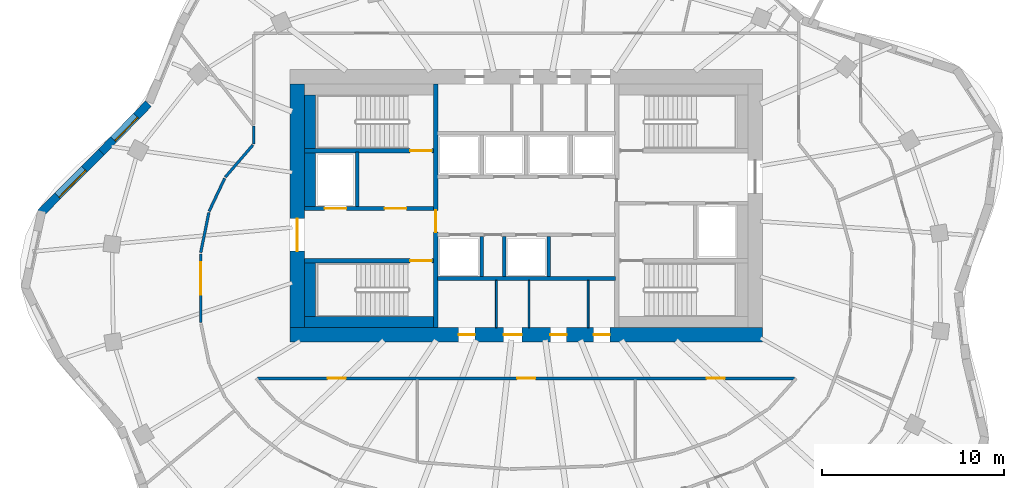
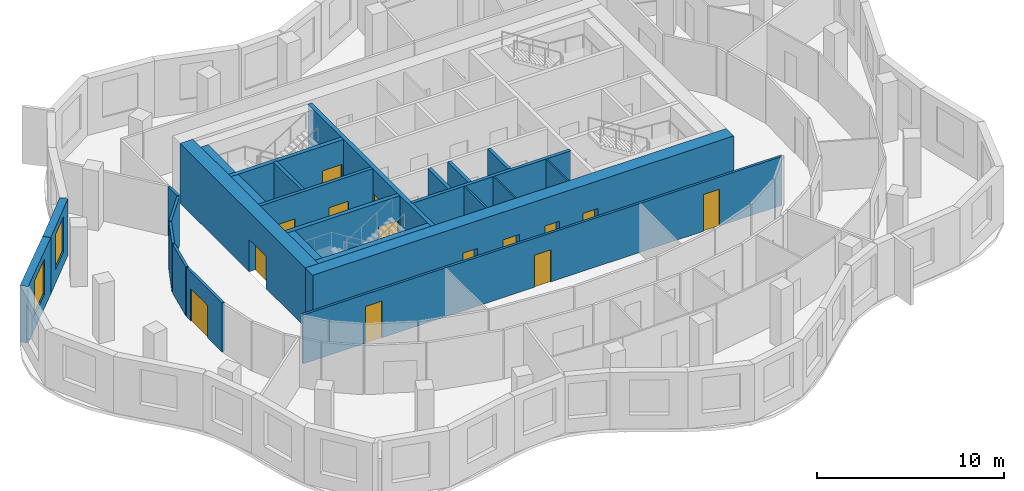
# One storey, part 4 of 9: 26 walls, 14 doors, 2 windows, 16 openings.
"""IFC4 building model written with IfcOpenShell, lengths in metres."""

from ifc_helpers import new_model, si_unit, direction, frame, frame_2d, origin, place, context, subcontext, project, spatial, rectangle, extrude, material, layer, layer_set, type_object, element, fill, save


model = new_model("IFC4")

# Units and contexts
model_context = context("Model", 3, precision=1e-05, world=origin(), true_north=direction((0.0, 1.0)))
body_context = subcontext(model_context, "Body", "Model", "MODEL_VIEW")
ifc_project = project(units=[si_unit("LENGTHUNIT", "METRE"), si_unit("AREAUNIT", "SQUARE_METRE"), si_unit("VOLUMEUNIT", "CUBIC_METRE"), si_unit("PLANEANGLEUNIT", "RADIAN"), si_unit("MASSUNIT", "GRAM", prefix="KILO")], contexts=[model_context])

# Site, building, storey
site_placement = place(None, origin())
site = spatial("IfcSite", under=ifc_project, at=site_placement, CompositionType="ELEMENT")
building_placement = place(site_placement, origin())
building = spatial("IfcBuilding", under=site, at=building_placement, Name="Rubra Terraces Tower", CompositionType="ELEMENT")
storey_placement = place(building_placement, frame((0.0, 0.0, 288.300048828125)))
storey = spatial("IfcBuildingStorey", under=building, at=storey_placement, Name="L71", CompositionType="ELEMENT", Elevation=288.300048828125)

# Wall, opening, window
ifc_material_1 = material(Name="Brick masonry red-brown", Category="masonry")
ifc_layer_1 = layer(ifc_material_1, 0.449951171875)
ifc_layer_set_1 = layer_set([ifc_layer_1], Name="Brick masonry red-brown")
wall_type_1 = type_object("IfcWallType", Name="Brick facade wall 450", PredefinedType="SOLIDWALL", material=ifc_layer_set_1)
wall_1_placement = place(storey_placement, frame((-20.795654296875, 10.1240234375, 0.0), z_axis=(0.0, 0.0, 1.0), x_axis=(-0.697121527554, -0.716952980203, 0.0)))
wall_1 = element("IfcWall", 1, at=wall_1_placement, inside=storey, type_object=wall_type_1, Name="Facade wall L71 bay 18", PredefinedType="SOLIDWALL", context=body_context, shape_type="SweptSolid", body=[
    extrude(rectangle(XDim=3.7177734375, YDim=0.449951171875, at=frame_2d((1.85888671875, 0.0))), origin(), (0.0, 0.0, 1.0), 3.699951171875),
])
opening_1_placement = place(wall_1_placement, frame((0.958984375, 0.0, 0.89990234375)))
opening_1 = element("IfcOpeningElement", 2, at=opening_1_placement, cuts=wall_1, Name="Opening W6B", PredefinedType="OPENING", context=body_context, shape_type="SweptSolid", body=[
    extrude(rectangle(XDim=1.800048828125, YDim=2.300048828125, at=frame_2d((0.89990234375, 1.14990234375))), frame((0.0, 0.23486328125, 0.0), z_axis=(0.0, -1.0, 0.0), x_axis=(1.0, 0.0, 0.0)), (0.0, 0.0, 1.0), 0.469970703125),
])
ifc_material_2 = material(Name="Clear glass in aluminium frame", Category="aluminium")
window_type_1 = type_object("IfcWindowType", Name="Fixed deep-set window at wind fin tall storey 1800 x 2300", PartitioningType="SINGLE_PANEL", PredefinedType="WINDOW", material=ifc_material_2)
window_1_placement = place(opening_1_placement, origin())
window_1 = element("IfcWindow", 3, at=window_1_placement, inside=storey, type_object=window_type_1, Name="Window L71 bay 18", OverallHeight=2.300048828125, OverallWidth=1.800048828125, PartitioningType="SINGLE_PANEL", PredefinedType="WINDOW", context=body_context, shape_type="SweptSolid", body=[
    extrude(rectangle(XDim=1.800048828125, YDim=2.300048828125, at=frame_2d((0.89990234375, 1.14990234375))), frame((0.0, 0.135009765625, 0.0), z_axis=(0.0, -1.0, 0.0), x_axis=(1.0, 0.0, 0.0)), (0.0, 0.0, 1.0), 0.06005859375),
])
fill(opening_1, window_1)

wall_2_placement = place(storey_placement, frame((-23.389892578125, 7.45556640625, 0.0), z_axis=(0.0, 0.0, 1.0), x_axis=(-0.705349231702, -0.708859973011, 0.0)))
wall_2 = element("IfcWall", 4, at=wall_2_placement, inside=storey, type_object=wall_type_1, Name="Facade wall L71 bay 19", PredefinedType="SOLIDWALL", context=body_context, shape_type="SweptSolid", body=[
    extrude(rectangle(XDim=4.728759765625, YDim=0.449951171875, at=frame_2d((2.3642578125, 0.0))), origin(), (0.0, 0.0, 1.0), 3.699951171875),
])
opening_2_placement = place(wall_2_placement, frame((1.314453125, 0.0, 0.89990234375)))
opening_2 = element("IfcOpeningElement", 5, at=opening_2_placement, cuts=wall_2, Name="Opening W1B", PredefinedType="OPENING", context=body_context, shape_type="SweptSolid", body=[
    extrude(rectangle(XDim=2.10009765625, YDim=2.300048828125, at=frame_2d((1.050048828125, 1.14990234375))), frame((0.0, 0.23486328125, 0.0), z_axis=(0.0, -1.0, 0.0), x_axis=(1.0, 0.0, 0.0)), (0.0, 0.0, 1.0), 0.469970703125),
])
window_type_2 = type_object("IfcWindowType", Name="Fixed deep-set window tall storey 2100 x 2300", PartitioningType="SINGLE_PANEL", PredefinedType="WINDOW", material=ifc_material_2)
window_2_placement = place(opening_2_placement, origin())
window_2 = element("IfcWindow", 6, at=window_2_placement, inside=storey, type_object=window_type_2, Name="Window L71 bay 19", OverallHeight=2.300048828125, OverallWidth=2.10009765625, PartitioningType="SINGLE_PANEL", PredefinedType="WINDOW", context=body_context, shape_type="SweptSolid", body=[
    extrude(rectangle(XDim=2.10009765625, YDim=2.300048828125, at=frame_2d((1.050048828125, 1.14990234375))), frame((0.0, 0.135009765625, 0.0), z_axis=(0.0, -1.0, 0.0), x_axis=(1.0, 0.0, 0.0)), (0.0, 0.0, 1.0), 0.06005859375),
])
fill(opening_2, window_2)

# Wall, openings, doors
ifc_material_3 = material(Name="Concrete C50", Category="concrete")
ifc_layer_2 = layer(ifc_material_3, 0.800048828125)
ifc_layer_set_2 = layer_set([ifc_layer_2], Name="Concrete C50")
wall_type_2 = type_object("IfcWallType", Name="CORE WALL 800 C50", PredefinedType="SHEAR", material=ifc_layer_set_2)
wall_3_placement = place(storey_placement, frame((-13.0, -2.60009765625, 0.0), z_axis=(0.0, 0.0, 1.0), x_axis=(1.0, 0.0, 0.0)))
wall_3 = element("IfcWall", 7, at=wall_3_placement, inside=storey, type_object=wall_type_2, Name="CORE WALL S L71", PredefinedType="SHEAR", context=body_context, shape_type="SweptSolid", body=[
    extrude(rectangle(XDim=26.0, YDim=0.800048828125, at=frame_2d((13.0, 0.0))), origin(), (0.0, 0.0, 1.0), 3.89990234375),
])
opening_3_placement = place(wall_3_placement, frame((9.27490234375, 0.0, 0.0)))
opening_3 = element("IfcOpeningElement", 8, at=opening_3_placement, cuts=wall_3, Name="Opening L71.C21", PredefinedType="OPENING", context=body_context, shape_type="SweptSolid", body=[
    extrude(rectangle(XDim=0.89990234375, YDim=2.10009765625, at=frame_2d((0.449951171875, 1.050048828125))), frame((0.0, 0.409912109375, 0.0), z_axis=(0.0, -1.0, 0.0), x_axis=(1.0, 0.0, 0.0)), (0.0, 0.0, 1.0), 0.820068359375),
])
opening_4_placement = place(wall_3_placement, frame((11.75, 0.0, 0.0)))
opening_4 = element("IfcOpeningElement", 9, at=opening_4_placement, cuts=wall_3, Name="Opening L71.C22", PredefinedType="OPENING", context=body_context, shape_type="SweptSolid", body=[
    extrude(rectangle(XDim=1.0, YDim=2.10009765625, at=frame_2d((0.5, 1.050048828125))), frame((0.0, 0.409912109375, 0.0), z_axis=(0.0, -1.0, 0.0), x_axis=(1.0, 0.0, 0.0)), (0.0, 0.0, 1.0), 0.820068359375),
])
opening_5_placement = place(wall_3_placement, frame((14.324951171875, 0.0, 0.0)))
opening_5 = element("IfcOpeningElement", 10, at=opening_5_placement, cuts=wall_3, Name="Opening L71.C23", PredefinedType="OPENING", context=body_context, shape_type="SweptSolid", body=[
    extrude(rectangle(XDim=0.89990234375, YDim=2.10009765625, at=frame_2d((0.449951171875, 1.050048828125))), frame((0.0, 0.409912109375, 0.0), z_axis=(0.0, -1.0, 0.0), x_axis=(1.0, 0.0, 0.0)), (0.0, 0.0, 1.0), 0.820068359375),
])
opening_6_placement = place(wall_3_placement, frame((16.699951171875, 0.0, 0.0)))
opening_6 = element("IfcOpeningElement", 11, at=opening_6_placement, cuts=wall_3, Name="Opening L71.C24", PredefinedType="OPENING", context=body_context, shape_type="SweptSolid", body=[
    extrude(rectangle(XDim=0.89990234375, YDim=2.10009765625, at=frame_2d((0.449951171875, 1.050048828125))), frame((0.0, 0.409912109375, 0.0), z_axis=(0.0, -1.0, 0.0), x_axis=(1.0, 0.0, 0.0)), (0.0, 0.0, 1.0), 0.820068359375),
])
ifc_material_4 = material(Name="Painted steel", Category="steel")
door_type_1 = type_object("IfcDoorType", Name="Fire door 1000x2100 single", OperationType="NOTDEFINED", PredefinedType="DOOR", material=ifc_material_4)
door_1_placement = place(opening_4_placement, origin())
door_1 = element("IfcDoor", 12, at=door_1_placement, inside=storey, type_object=door_type_1, Name="Accessible WC door", OperationType="SINGLE_SWING_RIGHT", OverallHeight=2.10009765625, OverallWidth=1.0, PredefinedType="DOOR", context=body_context, shape_type="SweptSolid", body=[
    extrude(rectangle(XDim=1.0, YDim=2.10009765625, at=frame_2d((0.5, 1.050048828125))), frame((0.0, 0.02490234375, 0.0), z_axis=(0.0, -1.0, 0.0), x_axis=(1.0, 0.0, 0.0)), (0.0, 0.0, 1.0), 0.050048828125),
])
fill(opening_4, door_1)
door_type_2 = type_object("IfcDoorType", Name="Fire door 900x2100 single", OperationType="NOTDEFINED", PredefinedType="DOOR", material=ifc_material_4)
door_2_placement = place(opening_3_placement, origin())
door_2 = element("IfcDoor", 13, at=door_2_placement, inside=storey, type_object=door_type_2, Name="Gents WC door", OperationType="SINGLE_SWING_LEFT", OverallHeight=2.10009765625, OverallWidth=0.89990234375, PredefinedType="DOOR", context=body_context, shape_type="SweptSolid", body=[
    extrude(rectangle(XDim=0.89990234375, YDim=2.10009765625, at=frame_2d((0.449951171875, 1.050048828125))), frame((0.0, 0.02490234375, 0.0), z_axis=(0.0, -1.0, 0.0), x_axis=(1.0, 0.0, 0.0)), (0.0, 0.0, 1.0), 0.050048828125),
])
fill(opening_3, door_2)
door_3_placement = place(opening_5_placement, origin())
door_3 = element("IfcDoor", 14, at=door_3_placement, inside=storey, type_object=door_type_2, Name="Ladies WC door", OperationType="SINGLE_SWING_LEFT", OverallHeight=2.10009765625, OverallWidth=0.89990234375, PredefinedType="DOOR", context=body_context, shape_type="SweptSolid", body=[
    extrude(rectangle(XDim=0.89990234375, YDim=2.10009765625, at=frame_2d((0.449951171875, 1.050048828125))), frame((0.0, 0.02490234375, 0.0), z_axis=(0.0, -1.0, 0.0), x_axis=(1.0, 0.0, 0.0)), (0.0, 0.0, 1.0), 0.050048828125),
])
fill(opening_5, door_3)
door_4_placement = place(opening_6_placement, origin())
door_4 = element("IfcDoor", 15, at=door_4_placement, inside=storey, type_object=door_type_2, Name="Cleaner's store door", OperationType="SINGLE_SWING_RIGHT", OverallHeight=2.10009765625, OverallWidth=0.89990234375, PredefinedType="DOOR", context=body_context, shape_type="SweptSolid", body=[
    extrude(rectangle(XDim=0.89990234375, YDim=2.10009765625, at=frame_2d((0.449951171875, 1.050048828125))), frame((0.0, 0.02490234375, 0.0), z_axis=(0.0, -1.0, 0.0), x_axis=(1.0, 0.0, 0.0)), (0.0, 0.0, 1.0), 0.050048828125),
])
fill(opening_6, door_4)

# Wall, opening, door
wall_4_placement = place(storey_placement, frame((-12.60009765625, -2.199951171875, 0.0), z_axis=(0.0, 0.0, 1.0), x_axis=(0.0, 1.0, 0.0)))
wall_4 = element("IfcWall", 16, at=wall_4_placement, inside=storey, type_object=wall_type_2, Name="CORE WALL W L71", PredefinedType="SHEAR", context=body_context, shape_type="SweptSolid", body=[
    extrude(rectangle(XDim=13.39990234375, YDim=0.800048828125, at=frame_2d((6.699951171875, 0.0))), origin(), (0.0, 0.0, 1.0), 3.89990234375),
])
opening_7_placement = place(wall_4_placement, frame((4.199951171875, 0.0, 0.0)))
opening_7 = element("IfcOpeningElement", 17, at=opening_7_placement, cuts=wall_4, Name="Opening L71.C01", PredefinedType="OPENING", context=body_context, shape_type="SweptSolid", body=[
    extrude(rectangle(XDim=1.800048828125, YDim=2.10009765625, at=frame_2d((0.89990234375, 1.050048828125))), frame((0.0, 0.409912109375, 0.0), z_axis=(0.0, -1.0, 0.0), x_axis=(1.0, 0.0, 0.0)), (0.0, 0.0, 1.0), 0.820068359375),
])
door_type_3 = type_object("IfcDoorType", Name="Fire door 1800x2100 double", OperationType="NOTDEFINED", PredefinedType="DOOR", material=ifc_material_4)
door_5_placement = place(opening_7_placement, origin())
door_5 = element("IfcDoor", 18, at=door_5_placement, inside=storey, type_object=door_type_3, Name="Core entrance door FF1", OperationType="DOUBLE_DOOR_SINGLE_SWING", OverallHeight=2.10009765625, OverallWidth=1.800048828125, PredefinedType="DOOR", context=body_context, shape_type="SweptSolid", body=[
    extrude(rectangle(XDim=1.800048828125, YDim=2.10009765625, at=frame_2d((0.89990234375, 1.050048828125))), frame((0.0, 0.02490234375, 0.0), z_axis=(0.0, -1.0, 0.0), x_axis=(1.0, 0.0, 0.0)), (0.0, 0.0, 1.0), 0.050048828125),
])
fill(opening_7, door_5)

# Walls
ifc_material_5 = material(Name="Plasterboard on steel stud, mineral wool infill", Category="steel")
ifc_layer_3 = layer(ifc_material_5, 0.14990234375)
ifc_layer_set_3 = layer_set([ifc_layer_3], Name="Plasterboard on steel stud, mineral wool infill")
wall_type_3 = type_object("IfcWallType", Name="CORRIDOR PARTITION 150", PredefinedType="PARTITIONING", material=ifc_layer_set_3)
wall_5_placement = place(storey_placement, frame((-15.0, 8.892822265625, 0.0), z_axis=(0.0, 0.0, 1.0), x_axis=(0.0, -1.0, 0.0)))
element("IfcWall", 19, at=wall_5_placement, inside=storey, type_object=wall_type_3, Name="PARTITION", PredefinedType="PARTITIONING", context=body_context, shape_type="SweptSolid", body=[
    extrude(rectangle(XDim=0.988525390625, YDim=0.14990234375, at=frame_2d((0.494140625, 0.0))), origin(), (0.0, 0.0, 1.0), 3.197998046875),
])
wall_6_placement = place(storey_placement, frame((-15.048828125, 7.847412109375, 0.0), z_axis=(0.0, 0.0, 1.0), x_axis=(-0.651264357687, -0.758850931611, 0.0)))
element("IfcWall", 20, at=wall_6_placement, inside=storey, type_object=wall_type_3, Name="PARTITION", PredefinedType="PARTITIONING", context=body_context, shape_type="SweptSolid", body=[
    extrude(rectangle(XDim=2.33740234375, YDim=0.14990234375, at=frame_2d((1.168701171875, 0.0))), origin(), (0.0, 0.0, 1.0), 3.197998046875),
])
wall_7_placement = place(storey_placement, frame((-16.603271484375, 6.006103515625, 0.0), z_axis=(0.0, 0.0, 1.0), x_axis=(-0.427839289523, -0.903854823708, 0.0)))
element("IfcWall", 21, at=wall_7_placement, inside=storey, type_object=wall_type_3, Name="PARTITION", PredefinedType="PARTITIONING", context=body_context, shape_type="SweptSolid", body=[
    extrude(rectangle(XDim=1.99658203125, YDim=0.14990234375, at=frame_2d((0.998291015625, 0.0))), origin(), (0.0, 0.0, 1.0), 3.197998046875),
])
wall_8_placement = place(storey_placement, frame((-17.472412109375, 4.1279296875, 0.0), z_axis=(0.0, 0.0, 1.0), x_axis=(-0.199502025364, -0.979897413955, 0.0)))
element("IfcWall", 22, at=wall_8_placement, inside=storey, type_object=wall_type_3, Name="PARTITION", PredefinedType="PARTITIONING", context=body_context, shape_type="SweptSolid", body=[
    extrude(rectangle(XDim=2.24560546875, YDim=0.14990234375, at=frame_2d((1.122802734375, 0.0))), origin(), (0.0, 0.0, 1.0), 3.197998046875),
])

# Wall, opening, door
wall_9_placement = place(storey_placement, frame((-17.92041015625, 1.8525390625, 0.0), z_axis=(0.0, 0.0, 1.0), x_axis=(0.0, -1.0, 0.0)))
wall_9 = element("IfcWall", 23, at=wall_9_placement, inside=storey, type_object=wall_type_3, Name="PARTITION", PredefinedType="PARTITIONING", context=body_context, shape_type="SweptSolid", body=[
    extrude(rectangle(XDim=3.780029296875, YDim=0.14990234375, at=frame_2d((1.89013671875, 0.0))), origin(), (0.0, 0.0, 1.0), 3.197998046875),
])
opening_8_placement = place(wall_9_placement, frame((0.449951171875, 0.0, 0.0)))
opening_8 = element("IfcOpeningElement", 24, at=opening_8_placement, cuts=wall_9, Name="Opening 71-101", PredefinedType="OPENING", context=body_context, shape_type="SweptSolid", body=[
    extrude(rectangle(XDim=1.800048828125, YDim=2.10009765625, at=frame_2d((0.89990234375, 1.050048828125))), frame((0.0, 0.0849609375, 0.0), z_axis=(0.0, -1.0, 0.0), x_axis=(1.0, 0.0, 0.0)), (0.0, 0.0, 1.0), 0.169921875),
])
ifc_material_6 = material(Name="Painted timber door leaf, double", Category="wood")
door_type_4 = type_object("IfcDoorType", Name="ROOM DOUBLE DOOR 1800 X 2100", OperationType="DOUBLE_DOOR_SINGLE_SWING", PredefinedType="DOOR", material=ifc_material_6)
door_6_placement = place(opening_8_placement, origin())
door_6 = element("IfcDoor", 25, at=door_6_placement, inside=storey, type_object=door_type_4, Name="DOOR 71-101", OperationType="DOUBLE_DOOR_SINGLE_SWING", OverallHeight=2.10009765625, OverallWidth=1.800048828125, PredefinedType="DOOR", context=body_context, shape_type="SweptSolid", body=[
    extrude(rectangle(XDim=1.800048828125, YDim=2.10009765625, at=frame_2d((0.89990234375, 1.050048828125))), frame((0.0, 0.02490234375, 0.0), z_axis=(0.0, -1.0, 0.0), x_axis=(1.0, 0.0, 0.0)), (0.0, 0.0, 1.0), 0.050048828125),
])
fill(opening_8, door_6)

# Wall, openings, doors
wall_10_placement = place(storey_placement, frame((-14.7890625, -5.0, 0.0), z_axis=(0.0, 0.0, 1.0), x_axis=(1.0, 0.0, 0.0)))
wall_10 = element("IfcWall", 26, at=wall_10_placement, inside=storey, type_object=wall_type_3, Name="PARTITION", PredefinedType="PARTITIONING", context=body_context, shape_type="SweptSolid", body=[
    extrude(rectangle(XDim=29.56201171875, YDim=0.14990234375, at=frame_2d((14.781005859375, 0.0))), origin(), (0.0, 0.0, 1.0), 3.197998046875),
])
opening_9_placement = place(wall_10_placement, frame((3.85693359375, 0.0, 0.0)))
opening_9 = element("IfcOpeningElement", 27, at=opening_9_placement, cuts=wall_10, Name="Opening 71-113", PredefinedType="OPENING", context=body_context, shape_type="SweptSolid", body=[
    extrude(rectangle(XDim=1.0, YDim=2.39990234375, at=frame_2d((0.5, 1.199951171875))), frame((0.0, 0.0849609375, 0.0), z_axis=(0.0, -1.0, 0.0), x_axis=(1.0, 0.0, 0.0)), (0.0, 0.0, 1.0), 0.169921875),
])
opening_10_placement = place(wall_10_placement, frame((14.2890625, 0.0, 0.0)))
opening_10 = element("IfcOpeningElement", 28, at=opening_10_placement, cuts=wall_10, Name="Opening 71-114", PredefinedType="OPENING", context=body_context, shape_type="SweptSolid", body=[
    extrude(rectangle(XDim=1.0, YDim=2.10009765625, at=frame_2d((0.5, 1.050048828125))), frame((0.0, 0.0849609375, 0.0), z_axis=(0.0, -1.0, 0.0), x_axis=(1.0, 0.0, 0.0)), (0.0, 0.0, 1.0), 0.169921875),
])
opening_11_placement = place(wall_10_placement, frame((24.712890625, 0.0, 0.0)))
opening_11 = element("IfcOpeningElement", 29, at=opening_11_placement, cuts=wall_10, Name="Opening 71-115", PredefinedType="OPENING", context=body_context, shape_type="SweptSolid", body=[
    extrude(rectangle(XDim=1.0, YDim=2.39990234375, at=frame_2d((0.5, 1.199951171875))), frame((0.0, 0.0849609375, 0.0), z_axis=(0.0, -1.0, 0.0), x_axis=(1.0, 0.0, 0.0)), (0.0, 0.0, 1.0), 0.169921875),
])
ifc_material_7 = material(Name="Glazed aluminium meeting door leaf", Category="aluminium")
door_type_5 = type_object("IfcDoorType", Name="MEETING ROOM GLAZED DOOR 1000 X 2400", OperationType="SINGLE_SWING_LEFT", PredefinedType="DOOR", material=ifc_material_7)
door_7_placement = place(opening_9_placement, origin())
door_7 = element("IfcDoor", 30, at=door_7_placement, inside=storey, type_object=door_type_5, Name="DOOR 71-113", OperationType="SINGLE_SWING_RIGHT", OverallHeight=2.39990234375, OverallWidth=1.0, PredefinedType="DOOR", context=body_context, shape_type="SweptSolid", body=[
    extrude(rectangle(XDim=1.0, YDim=2.39990234375, at=frame_2d((0.5, 1.199951171875))), frame((0.0, 0.02490234375, 0.0), z_axis=(0.0, -1.0, 0.0), x_axis=(1.0, 0.0, 0.0)), (0.0, 0.0, 1.0), 0.050048828125),
])
fill(opening_9, door_7)
door_8_placement = place(opening_11_placement, origin())
door_8 = element("IfcDoor", 31, at=door_8_placement, inside=storey, type_object=door_type_5, Name="DOOR 71-115", OperationType="SINGLE_SWING_RIGHT", OverallHeight=2.39990234375, OverallWidth=1.0, PredefinedType="DOOR", context=body_context, shape_type="SweptSolid", body=[
    extrude(rectangle(XDim=1.0, YDim=2.39990234375, at=frame_2d((0.5, 1.199951171875))), frame((0.0, 0.02490234375, 0.0), z_axis=(0.0, -1.0, 0.0), x_axis=(1.0, 0.0, 0.0)), (0.0, 0.0, 1.0), 0.050048828125),
])
fill(opening_11, door_8)
ifc_material_8 = material(Name="Painted timber door leaf", Category="wood")
door_type_6 = type_object("IfcDoorType", Name="ROOM DOOR 1000 X 2100", OperationType="SINGLE_SWING_LEFT", PredefinedType="DOOR", material=ifc_material_8)
door_9_placement = place(opening_10_placement, origin())
door_9 = element("IfcDoor", 32, at=door_9_placement, inside=storey, type_object=door_type_6, Name="DOOR 71-114", OperationType="SINGLE_SWING_RIGHT", OverallHeight=2.10009765625, OverallWidth=1.0, PredefinedType="DOOR", context=body_context, shape_type="SweptSolid", body=[
    extrude(rectangle(XDim=1.0, YDim=2.10009765625, at=frame_2d((0.5, 1.050048828125))), frame((0.0, 0.02490234375, 0.0), z_axis=(0.0, -1.0, 0.0), x_axis=(1.0, 0.0, 0.0)), (0.0, 0.0, 1.0), 0.050048828125),
])
fill(opening_10, door_9)

# Walls
ifc_material_9 = material(Name="Concrete C40", Category="concrete")
ifc_layer_4 = layer(ifc_material_9, 0.60009765625)
ifc_layer_set_4 = layer_set([ifc_layer_4], Name="Concrete C40")
wall_type_4 = type_object("IfcWallType", Name="Core lining wall 600 concrete", PredefinedType="SOLIDWALL", material=ifc_layer_set_4)
wall_11_placement = place(storey_placement, frame((-12.199951171875, -1.89990234375, 0.0), z_axis=(0.0, 0.0, 1.0), x_axis=(1.0, 0.0, 0.0)))
element("IfcWall", 33, at=wall_11_placement, inside=storey, type_object=wall_type_4, Name="CORE LINING WALL L71", PredefinedType="SOLIDWALL", context=body_context, shape_type="SweptSolid", body=[
    extrude(rectangle(XDim=7.099853515625, YDim=0.60009765625, at=frame_2d((3.5498046875, 0.0))), origin(), (0.0, 0.0, 1.0), 3.699951171875),
])
wall_12_placement = place(storey_placement, frame((-11.89990234375, -1.60009765625, 0.0), z_axis=(0.0, 0.0, 1.0), x_axis=(0.0, 1.0, 0.0)))
element("IfcWall", 34, at=wall_12_placement, inside=storey, type_object=wall_type_4, Name="CORE LINING WALL L71", PredefinedType="SOLIDWALL", context=body_context, shape_type="SweptSolid", body=[
    extrude(rectangle(XDim=2.9501953125, YDim=0.60009765625, at=frame_2d((1.47509765625, 0.0))), origin(), (0.0, 0.0, 1.0), 3.699951171875),
])
wall_13_placement = place(storey_placement, frame((-11.89990234375, 4.449951171875, 0.0), z_axis=(0.0, 0.0, 1.0), x_axis=(0.0, 1.0, 0.0)))
element("IfcWall", 35, at=wall_13_placement, inside=storey, type_object=wall_type_4, Name="CORE LINING WALL L71", PredefinedType="SOLIDWALL", context=body_context, shape_type="SweptSolid", body=[
    extrude(rectangle(XDim=3.0, YDim=0.60009765625, at=frame_2d((1.5, 0.0))), origin(), (0.0, 0.0, 1.0), 3.699951171875),
])
wall_14_placement = place(storey_placement, frame((-11.89990234375, 7.64990234375, 0.0), z_axis=(0.0, 0.0, 1.0), x_axis=(0.0, 1.0, 0.0)))
element("IfcWall", 36, at=wall_14_placement, inside=storey, type_object=wall_type_4, Name="CORE LINING WALL L71", PredefinedType="SOLIDWALL", context=body_context, shape_type="SweptSolid", body=[
    extrude(rectangle(XDim=2.9501953125, YDim=0.60009765625, at=frame_2d((1.47509765625, 0.0))), origin(), (0.0, 0.0, 1.0), 3.699951171875),
])

# Wall, openings, doors
ifc_material_10 = material(Name="Concrete C30", Category="concrete")
ifc_layer_5 = layer(ifc_material_10, 0.199951171875)
ifc_layer_set_5 = layer_set([ifc_layer_5], Name="Concrete C30")
wall_type_5 = type_object("IfcWallType", Name="Core wall 200 concrete", PredefinedType="SOLIDWALL", material=ifc_layer_set_5)
wall_15_placement = place(storey_placement, frame((-12.199951171875, 4.35009765625, 0.0), z_axis=(0.0, 0.0, 1.0), x_axis=(1.0, 0.0, 0.0)))
wall_15 = element("IfcWall", 37, at=wall_15_placement, inside=storey, type_object=wall_type_5, Name="STAIR WALL L71", PredefinedType="SOLIDWALL", context=body_context, shape_type="SweptSolid", body=[
    extrude(rectangle(XDim=7.099853515625, YDim=0.199951171875, at=frame_2d((3.5498046875, 0.0))), origin(), (0.0, 0.0, 1.0), 3.699951171875),
])
opening_12_placement = place(wall_15_placement, frame((4.39990234375, 0.0, 0.0)))
opening_12 = element("IfcOpeningElement", 38, at=opening_12_placement, cuts=wall_15, Name="Opening L71.C05", PredefinedType="OPENING", context=body_context, shape_type="SweptSolid", body=[
    extrude(rectangle(XDim=1.199951171875, YDim=2.10009765625, at=frame_2d((0.60009765625, 1.050048828125))), frame((0.0, 0.10986328125, 0.0), z_axis=(0.0, -1.0, 0.0), x_axis=(1.0, 0.0, 0.0)), (0.0, 0.0, 1.0), 0.219970703125),
])
opening_13_placement = place(wall_15_placement, frame((1.10009765625, 0.0, 0.0)))
opening_13 = element("IfcOpeningElement", 39, at=opening_13_placement, cuts=wall_15, Name="Opening L71.C11", PredefinedType="OPENING", context=body_context, shape_type="SweptSolid", body=[
    extrude(rectangle(XDim=1.199951171875, YDim=2.10009765625, at=frame_2d((0.60009765625, 1.050048828125))), frame((0.0, 0.10986328125, 0.0), z_axis=(0.0, -1.0, 0.0), x_axis=(1.0, 0.0, 0.0)), (0.0, 0.0, 1.0), 0.219970703125),
])
door_type_7 = type_object("IfcDoorType", Name="Fire door 1200x2100 single", OperationType="NOTDEFINED", PredefinedType="DOOR", material=ifc_material_4)
door_10_placement = place(opening_12_placement, origin())
door_10 = element("IfcDoor", 40, at=door_10_placement, inside=storey, type_object=door_type_7, Name="Stair vestibule door S2", OperationType="SINGLE_SWING_LEFT", OverallHeight=2.10009765625, OverallWidth=1.199951171875, PredefinedType="DOOR", context=body_context, shape_type="SweptSolid", body=[
    extrude(rectangle(XDim=1.199951171875, YDim=2.10009765625, at=frame_2d((0.60009765625, 1.050048828125))), frame((0.0, 0.02490234375, 0.0), z_axis=(0.0, -1.0, 0.0), x_axis=(1.0, 0.0, 0.0)), (0.0, 0.0, 1.0), 0.050048828125),
])
fill(opening_12, door_10)
ifc_material_11 = material(Name="Stainless steel", Category="steel")
door_type_8 = type_object("IfcDoorType", Name="Lift landing door 1200x2100", OperationType="NOTDEFINED", PredefinedType="DOOR", material=ifc_material_11)
door_11_placement = place(opening_13_placement, origin())
door_11 = element("IfcDoor", 41, at=door_11_placement, inside=storey, type_object=door_type_8, Name="Landing door FF1", OperationType="SLIDING_TO_RIGHT", OverallHeight=2.10009765625, OverallWidth=1.199951171875, PredefinedType="DOOR", context=body_context, shape_type="SweptSolid", body=[
    extrude(rectangle(XDim=1.199951171875, YDim=2.10009765625, at=frame_2d((0.60009765625, 1.050048828125))), frame((0.0, 0.02490234375, 0.0), z_axis=(0.0, -1.0, 0.0), x_axis=(1.0, 0.0, 0.0)), (0.0, 0.0, 1.0), 0.050048828125),
])
fill(opening_13, door_11)

# Walls
wall_16_placement = place(storey_placement, frame((-9.300048828125, 4.449951171875, 0.0), z_axis=(0.0, 0.0, 1.0), x_axis=(0.0, 1.0, 0.0)))
element("IfcWall", 42, at=wall_16_placement, inside=storey, type_object=wall_type_5, Name="STAIR WALL L71", PredefinedType="SOLIDWALL", context=body_context, shape_type="SweptSolid", body=[
    extrude(rectangle(XDim=3.0, YDim=0.199951171875, at=frame_2d((1.5, 0.0))), origin(), (0.0, 0.0, 1.0), 3.699951171875),
])
wall_17_placement = place(storey_placement, frame((-4.89990234375, 0.5, 0.0), z_axis=(0.0, 0.0, 1.0), x_axis=(1.0, 0.0, 0.0)))
element("IfcWall", 43, at=wall_17_placement, inside=storey, type_object=wall_type_5, Name="LIFT SHAFT WALL L71", PredefinedType="SOLIDWALL", context=body_context, shape_type="SweptSolid", body=[
    extrude(rectangle(XDim=9.7998046875, YDim=0.199951171875, at=frame_2d((4.89990234375, 0.0))), origin(), (0.0, 0.0, 1.0), 3.699951171875),
])
for number, where, z_axis, x_axis, name in (
    (44, (-2.449951171875, 0.60009765625, 0.0), (0.0, 0.0, 1.0), (0.0, 1.0, 0.0), "LIFT SHAFT WALL L71"),
    (45, (-1.22509765625, 0.60009765625, 0.0), (0.0, 0.0, 1.0), (0.0, 1.0, 0.0), "LIFT SHAFT WALL L71"),
    (46, (1.22509765625, 0.60009765625, 0.0), (0.0, 0.0, 1.0), (0.0, 1.0, 0.0), "LIFT SHAFT WALL L71"),
):
    element("IfcWall", number, at=place(storey_placement, frame(where, z_axis=z_axis, x_axis=x_axis)), inside=storey, type_object=wall_type_5, Name=name, PredefinedType="SOLIDWALL", context=body_context, shape_type="SweptSolid", body=[
        extrude(rectangle(XDim=2.199951171875, YDim=0.199951171875, at=frame_2d((1.10009765625, 0.0))), origin(), (0.0, 0.0, 1.0), 3.699951171875),
    ])
ifc_material_12 = material(Name="Blockwork", Category="masonry")
ifc_layer_6 = layer(ifc_material_12, 0.10009765625)
ifc_layer_set_6 = layer_set([ifc_layer_6], Name="Blockwork")
wall_type_6 = type_object("IfcWallType", Name="Service partition 100 blockwork", PredefinedType="PARTITIONING", material=ifc_layer_set_6)
for number, where, z_axis, x_axis, name in (
    (47, (-1.64990234375, -2.199951171875, 0.0), (0.0, 0.0, 1.0), (0.0, 1.0, 0.0), "SERVICE ROOM PARTITION L71"),
    (48, (0.14990234375, -2.199951171875, 0.0), (0.0, 0.0, 1.0), (0.0, 1.0, 0.0), "SERVICE ROOM PARTITION L71"),
    (49, (3.39990234375, -2.199951171875, 0.0), (0.0, 0.0, 1.0), (0.0, 1.0, 0.0), "SERVICE ROOM PARTITION L71"),
):
    element("IfcWall", number, at=place(storey_placement, frame(where, z_axis=z_axis, x_axis=x_axis)), inside=storey, type_object=wall_type_6, Name=name, PredefinedType="PARTITIONING", context=body_context, shape_type="SweptSolid", body=[
        extrude(rectangle(XDim=2.599853515625, YDim=0.10009765625, at=frame_2d((1.2998046875, 0.0))), origin(), (0.0, 0.0, 1.0), 3.699951171875),
    ])

# Wall, opening, door
ifc_layer_7 = layer(ifc_material_9, 0.25)
ifc_layer_set_7 = layer_set([ifc_layer_7], Name="Concrete C40")
wall_type_7 = type_object("IfcWallType", Name="Stair enclosure wall 250 concrete", PredefinedType="SOLIDWALL", material=ifc_layer_set_7)
wall_18_placement = place(storey_placement, frame((-12.199951171875, 1.47509765625, 0.0), z_axis=(0.0, 0.0, 1.0), x_axis=(1.0, 0.0, 0.0)))
wall_18 = element("IfcWall", 50, at=wall_18_placement, inside=storey, type_object=wall_type_7, Name="STAIR WALL L71", PredefinedType="SOLIDWALL", context=body_context, shape_type="SweptSolid", body=[
    extrude(rectangle(XDim=7.099853515625, YDim=0.25, at=frame_2d((3.5498046875, 0.0))), origin(), (0.0, 0.0, 1.0), 3.699951171875),
])
opening_14_placement = place(wall_18_placement, frame((5.800048828125, 0.0, 0.0)))
opening_14 = element("IfcOpeningElement", 51, at=opening_14_placement, cuts=wall_18, Name="Opening L71.C07", PredefinedType="OPENING", context=body_context, shape_type="SweptSolid", body=[
    extrude(rectangle(XDim=1.199951171875, YDim=2.10009765625, at=frame_2d((0.60009765625, 1.050048828125))), frame((0.0, 0.135009765625, 0.0), z_axis=(0.0, -1.0, 0.0), x_axis=(1.0, 0.0, 0.0)), (0.0, 0.0, 1.0), 0.27001953125),
])
door_12_placement = place(opening_14_placement, origin())
door_12 = element("IfcDoor", 52, at=door_12_placement, inside=storey, type_object=door_type_7, Name="Stair door S1", OperationType="SINGLE_SWING_LEFT", OverallHeight=2.10009765625, OverallWidth=1.199951171875, PredefinedType="DOOR", context=body_context, shape_type="SweptSolid", body=[
    extrude(rectangle(XDim=1.199951171875, YDim=2.10009765625, at=frame_2d((0.60009765625, 1.050048828125))), frame((0.0, 0.02490234375, 0.0), z_axis=(0.0, -1.0, 0.0), x_axis=(1.0, 0.0, 0.0)), (0.0, 0.0, 1.0), 0.050048828125),
])
fill(opening_14, door_12)

wall_19_placement = place(storey_placement, frame((-12.199951171875, 7.52490234375, 0.0), z_axis=(0.0, 0.0, 1.0), x_axis=(1.0, 0.0, 0.0)))
wall_19 = element("IfcWall", 53, at=wall_19_placement, inside=storey, type_object=wall_type_7, Name="STAIR WALL L71", PredefinedType="SOLIDWALL", context=body_context, shape_type="SweptSolid", body=[
    extrude(rectangle(XDim=7.099853515625, YDim=0.25, at=frame_2d((3.5498046875, 0.0))), origin(), (0.0, 0.0, 1.0), 3.699951171875),
])
opening_15_placement = place(wall_19_placement, frame((5.800048828125, 0.0, 0.0)))
opening_15 = element("IfcOpeningElement", 54, at=opening_15_placement, cuts=wall_19, Name="Opening L71.C09", PredefinedType="OPENING", context=body_context, shape_type="SweptSolid", body=[
    extrude(rectangle(XDim=1.199951171875, YDim=2.10009765625, at=frame_2d((0.60009765625, 1.050048828125))), frame((0.0, 0.135009765625, 0.0), z_axis=(0.0, -1.0, 0.0), x_axis=(1.0, 0.0, 0.0)), (0.0, 0.0, 1.0), 0.27001953125),
])
door_13_placement = place(opening_15_placement, origin())
door_13 = element("IfcDoor", 55, at=door_13_placement, inside=storey, type_object=door_type_7, Name="Stair door S2", OperationType="SINGLE_SWING_LEFT", OverallHeight=2.10009765625, OverallWidth=1.199951171875, PredefinedType="DOOR", context=body_context, shape_type="SweptSolid", body=[
    extrude(rectangle(XDim=1.199951171875, YDim=2.10009765625, at=frame_2d((0.60009765625, 1.050048828125))), frame((0.0, 0.02490234375, 0.0), z_axis=(0.0, -1.0, 0.0), x_axis=(1.0, 0.0, 0.0)), (0.0, 0.0, 1.0), 0.050048828125),
])
fill(opening_15, door_13)

wall_20_placement = place(storey_placement, frame((-4.97509765625, -2.199951171875, 0.0), z_axis=(0.0, 0.0, 1.0), x_axis=(0.0, 1.0, 0.0)))
wall_20 = element("IfcWall", 56, at=wall_20_placement, inside=storey, type_object=wall_type_7, Name="CORE LOBBY WALL L71", PredefinedType="SOLIDWALL", context=body_context, shape_type="SweptSolid", body=[
    extrude(rectangle(XDim=13.39990234375, YDim=0.25, at=frame_2d((6.699951171875, 0.0))), origin(), (0.0, 0.0, 1.0), 3.699951171875),
])
opening_16_placement = place(wall_20_placement, frame((5.25, 0.0, 0.0)))
opening_16 = element("IfcOpeningElement", 57, at=opening_16_placement, cuts=wall_20, Name="Opening L71.C03", PredefinedType="OPENING", context=body_context, shape_type="SweptSolid", body=[
    extrude(rectangle(XDim=1.199951171875, YDim=2.10009765625, at=frame_2d((0.60009765625, 1.050048828125))), frame((0.0, 0.135009765625, 0.0), z_axis=(0.0, -1.0, 0.0), x_axis=(1.0, 0.0, 0.0)), (0.0, 0.0, 1.0), 0.27001953125),
])
door_14_placement = place(opening_16_placement, origin())
door_14 = element("IfcDoor", 58, at=door_14_placement, inside=storey, type_object=door_type_7, Name="Firefighting lobby door FF1", OperationType="SINGLE_SWING_LEFT", OverallHeight=2.10009765625, OverallWidth=1.199951171875, PredefinedType="DOOR", context=body_context, shape_type="SweptSolid", body=[
    extrude(rectangle(XDim=1.199951171875, YDim=2.10009765625, at=frame_2d((0.60009765625, 1.050048828125))), frame((0.0, 0.02490234375, 0.0), z_axis=(0.0, -1.0, 0.0), x_axis=(1.0, 0.0, 0.0)), (0.0, 0.0, 1.0), 0.050048828125),
])
fill(opening_16, door_14)

save(model, "model.ifc")
